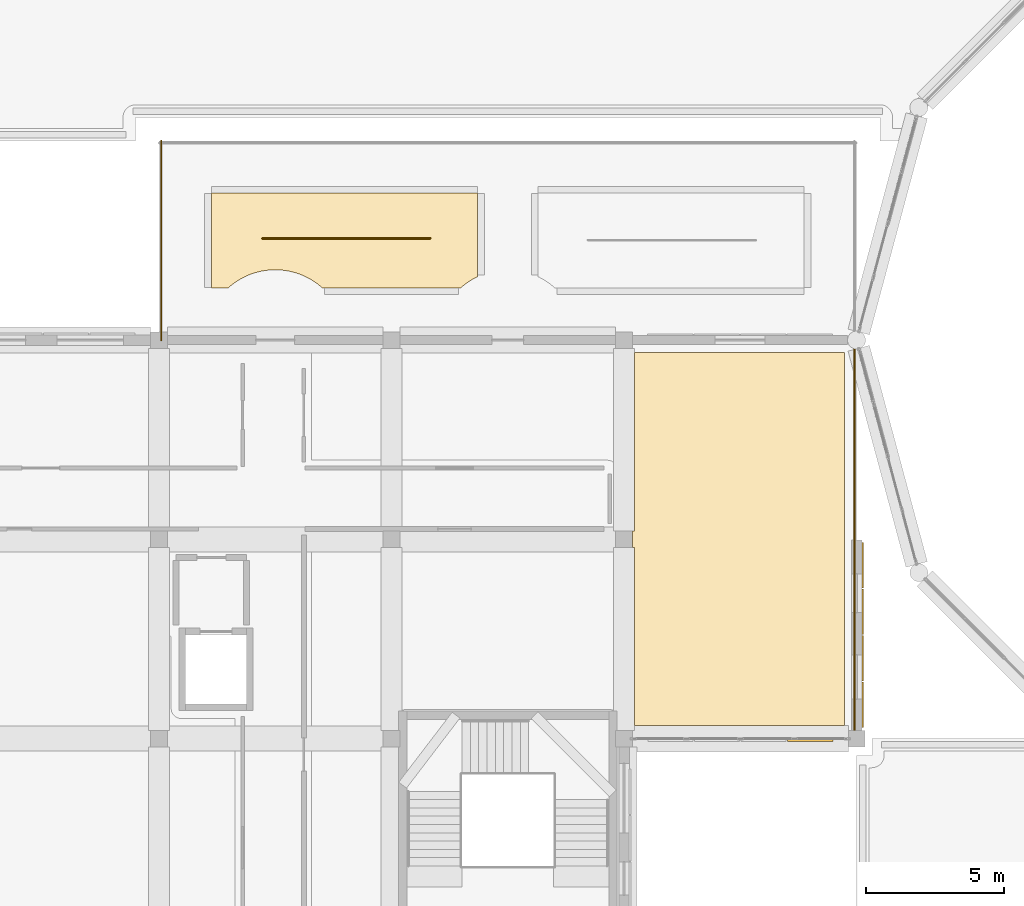
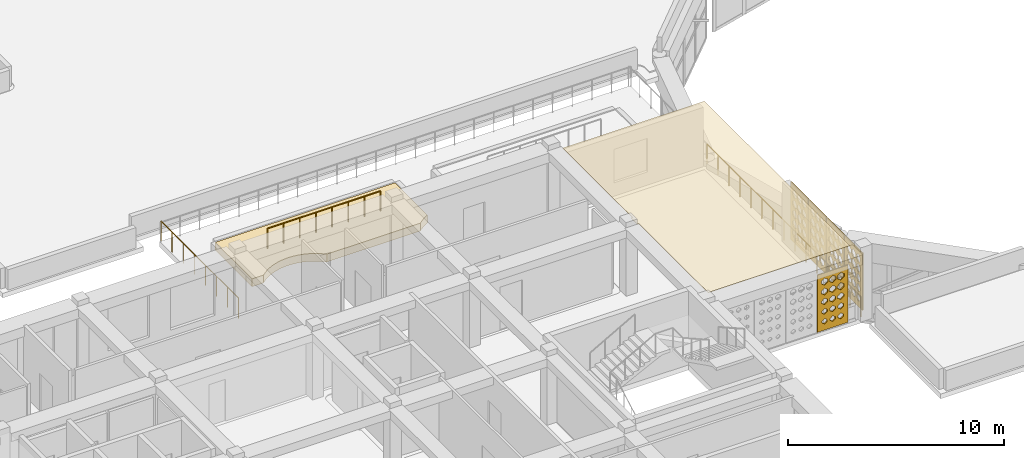
# One storey, part 46 of 48: 7 coverings, 3 railings.
"""IFC4 building model written with IfcOpenShell, lengths in metres."""

from ifc_helpers import new_model, si_unit, derived_unit, direction, frame, origin, origin_2d, place, context, subcontext, project, spatial, polyline, circle, outline, extrude, material, layer, layer_set, type_object, element, save


model = new_model("IFC4")

# Units and contexts
model_context = context("Model", 3, precision=1e-05, world=origin(), true_north=direction((0.0, 1.0)))
body_context = subcontext(model_context, "Body", "Model", "MODEL_VIEW")
ifc_project = project(units=[si_unit("LENGTHUNIT", "METRE"), si_unit("AREAUNIT", "SQUARE_METRE"), si_unit("VOLUMEUNIT", "CUBIC_METRE"), si_unit("PLANEANGLEUNIT", "RADIAN"), si_unit("MASSUNIT", "GRAM", prefix="KILO"), derived_unit("THERMALTRANSMITTANCEUNIT", [(si_unit("POWERUNIT", "WATT"), 1), (si_unit("LENGTHUNIT", "METRE"), -2), (si_unit("THERMODYNAMICTEMPERATUREUNIT", "KELVIN"), -1)])], contexts=[model_context])

# Site, building, storey
site_placement = place(None, origin())
site = spatial("IfcSite", under=ifc_project, at=site_placement, CompositionType="ELEMENT")
building_placement = place(site_placement, origin())
building = spatial("IfcBuilding", under=site, at=building_placement, Name="Veybourne Emporium", CompositionType="ELEMENT")
storey_placement = place(building_placement, frame((0.0, 0.0, 27.89990234375)))
storey = spatial("IfcBuildingStorey", under=building, at=storey_placement, Name="L06", CompositionType="ELEMENT", Elevation=27.89990234375)

# Railing
ifc_material_1 = material(Name="Patinated Architectural Bronze", Category="bronze")
railing_type_1 = type_object("IfcRailingType", Name="Balustrade_BL-01", PredefinedType="BALUSTRADE", material=ifc_material_1)
railing_1_placement = place(storey_placement, frame((58.719970703125, 36.050048828125, 0.0)))
element("IfcRailing", 1, at=railing_1_placement, inside=storey, type_object=railing_type_1, Name="L06 atrium clerestory gallery balustrade", PredefinedType="BALUSTRADE", context=body_context, shape_type="SweptSolid", body=[
    extrude(circle(Radius=0.02392578125, at=origin_2d()), frame((0.0, 0.0, 1.1259765625), z_axis=(0.0, 1.0, 0.0), x_axis=(-1.0, 0.0, 0.0)), (0.0, 0.0, 1.0), 14.300048828125),
    extrude(circle(Radius=0.02099609375, at=origin_2d()), origin(), (0.0, 0.0, 1.0), 1.101806640625),
    extrude(circle(Radius=0.02099609375, at=origin_2d()), frame((0.0, 1.021484375, 0.0)), (0.0, 0.0, 1.0), 1.101806640625),
    extrude(circle(Radius=0.02099609375, at=origin_2d()), frame((0.0, 2.04296875, 0.0)), (0.0, 0.0, 1.0), 1.101806640625),
    extrude(circle(Radius=0.02099609375, at=origin_2d()), frame((0.0, 3.064208984375, 0.0)), (0.0, 0.0, 1.0), 1.101806640625),
    extrude(circle(Radius=0.02099609375, at=origin_2d()), frame((0.0, 4.085693359375, 0.0)), (0.0, 0.0, 1.0), 1.101806640625),
    extrude(circle(Radius=0.02099609375, at=origin_2d()), frame((0.0, 5.107177734375, 0.0)), (0.0, 0.0, 1.0), 1.101806640625),
    extrude(circle(Radius=0.02099609375, at=origin_2d()), frame((0.0, 6.128662109375, 0.0)), (0.0, 0.0, 1.0), 1.101806640625),
    extrude(circle(Radius=0.02099609375, at=origin_2d()), frame((0.0, 7.14990234375, 0.0)), (0.0, 0.0, 1.0), 1.101806640625),
    extrude(circle(Radius=0.02099609375, at=origin_2d()), frame((0.0, 8.17138671875, 0.0)), (0.0, 0.0, 1.0), 1.101806640625),
    extrude(circle(Radius=0.02099609375, at=origin_2d()), frame((0.0, 9.19287109375, 0.0)), (0.0, 0.0, 1.0), 1.101806640625),
    extrude(circle(Radius=0.02099609375, at=origin_2d()), frame((0.0, 10.21435546875, 0.0)), (0.0, 0.0, 1.0), 1.101806640625),
    extrude(circle(Radius=0.02099609375, at=origin_2d()), frame((0.0, 11.23583984375, 0.0)), (0.0, 0.0, 1.0), 1.101806640625),
    extrude(circle(Radius=0.02099609375, at=origin_2d()), frame((0.0, 12.257080078125, 0.0)), (0.0, 0.0, 1.0), 1.101806640625),
    extrude(circle(Radius=0.02099609375, at=origin_2d()), frame((0.0, 13.278564453125, 0.0)), (0.0, 0.0, 1.0), 1.101806640625),
    extrude(circle(Radius=0.02099609375, at=origin_2d()), frame((0.0, 14.300048828125, 0.0)), (0.0, 0.0, 1.0), 1.101806640625),
])

# Covering
ifc_material_2 = material(Name="Mineral Acoustic Ceiling", Category="gypsum")
ifc_layer_1 = layer(ifc_material_2, 0.02490234375)
ifc_layer_set_1 = layer_set([ifc_layer_1], Name="Mineral Acoustic Ceiling")
covering_type_1 = type_object("IfcCoveringType", Name="Ceiling_CLG-01", PredefinedType="CEILING", material=ifc_layer_set_1)
covering_1_placement = place(storey_placement, frame((0.0, 0.0, 3.885009765625)))
element("IfcCovering", 2, at=covering_1_placement, inside=storey, type_object=covering_type_1, Name="L06 coffered acoustic ceiling 06", PredefinedType="CEILING", context=body_context, shape_type="SweptSolid", body=[
    extrude(outline(polyline([(50.705078125, 43.5), (50.77294921875, 43.5), (50.77294921875, 49.9599609375), (58.360107421875, 49.9599609375), (58.360107421875, 36.472900390625), (50.77294921875, 36.472900390625), (50.77294921875, 42.89990234375), (50.705078125, 42.89990234375), (50.705078125, 43.5)])), origin(), (0.0, 0.0, 1.0), 0.025146484375),
])

# Railings
railing_type_2 = type_object("IfcRailingType", Name="Guard_GR-02", PredefinedType="GUARDRAIL", material=ifc_material_1)
railing_2_placement = place(storey_placement, frame((33.679931640625, 50.39990234375, 0.0)))
element("IfcRailing", 3, at=railing_2_placement, inside=storey, type_object=railing_type_2, Name="L06 terrace perimeter guardrail 006", PredefinedType="GUARDRAIL", context=body_context, shape_type="SweptSolid", body=[
    extrude(circle(Radius=0.02392578125, at=origin_2d()), frame((0.0, 0.0, 1.1259765625), z_axis=(0.0, 1.0, 0.0), x_axis=(-1.0, 0.0, 0.0)), (0.0, 0.0, 1.0), 7.2001953125),
    extrude(circle(Radius=0.02099609375, at=origin_2d()), origin(), (0.0, 0.0, 1.0), 1.101806640625),
    extrude(circle(Radius=0.02099609375, at=origin_2d()), frame((0.0, 1.028564453125, 0.0)), (0.0, 0.0, 1.0), 1.101806640625),
    extrude(circle(Radius=0.02099609375, at=origin_2d()), frame((0.0, 2.05712890625, 0.0)), (0.0, 0.0, 1.0), 1.101806640625),
    extrude(circle(Radius=0.02099609375, at=origin_2d()), frame((0.0, 3.085693359375, 0.0)), (0.0, 0.0, 1.0), 1.101806640625),
    extrude(circle(Radius=0.02099609375, at=origin_2d()), frame((0.0, 4.114501953125, 0.0)), (0.0, 0.0, 1.0), 1.101806640625),
    extrude(circle(Radius=0.02099609375, at=origin_2d()), frame((0.0, 5.14306640625, 0.0)), (0.0, 0.0, 1.0), 1.101806640625),
    extrude(circle(Radius=0.02099609375, at=origin_2d()), frame((0.0, 6.171630859375, 0.0)), (0.0, 0.0, 1.0), 1.101806640625),
    extrude(circle(Radius=0.02099609375, at=origin_2d()), frame((0.0, 7.2001953125, 0.0)), (0.0, 0.0, 1.0), 1.101806640625),
])
railing_3_placement = place(storey_placement, frame((37.338134765625, 54.07373046875, 0.440185546875)))
element("IfcRailing", 4, at=railing_3_placement, inside=storey, type_object=railing_type_2, Name="L06 bronze roof-garden trellis balustrade 1.2", PredefinedType="GUARDRAIL", context=body_context, shape_type="SweptSolid", body=[
    extrude(circle(Radius=0.02392578125, at=origin_2d()), frame((0.0, 0.0, 1.1259765625), z_axis=(1.0, 0.0, 0.0), x_axis=(0.0, 1.0, 0.0)), (0.0, 0.0, 1.0), 6.06005859375),
    extrude(circle(Radius=0.02099609375, at=origin_2d()), origin(), (0.0, 0.0, 1.0), 1.101806640625),
    extrude(circle(Radius=0.02099609375, at=origin_2d()), frame((0.86572265625, 0.0, 0.0)), (0.0, 0.0, 1.0), 1.101806640625),
    extrude(circle(Radius=0.02099609375, at=origin_2d()), frame((1.7314453125, 0.0, 0.0)), (0.0, 0.0, 1.0), 1.101806640625),
    extrude(circle(Radius=0.02099609375, at=origin_2d()), frame((2.59716796875, 0.0, 0.0)), (0.0, 0.0, 1.0), 1.101806640625),
    extrude(circle(Radius=0.02099609375, at=origin_2d()), frame((3.462890625, 0.0, 0.0)), (0.0, 0.0, 1.0), 1.101806640625),
    extrude(circle(Radius=0.02099609375, at=origin_2d()), frame((4.32861328125, 0.0, 0.0)), (0.0, 0.0, 1.0), 1.101806640625),
    extrude(circle(Radius=0.02099609375, at=origin_2d()), frame((5.1943359375, 0.0, 0.0)), (0.0, 0.0, 1.0), 1.101806640625),
    extrude(circle(Radius=0.02099609375, at=origin_2d()), frame((6.06005859375, 0.0, 0.0)), (0.0, 0.0, 1.0), 1.101806640625),
])

# Coverings
ifc_material_3 = material(Name="Intensive Green Roof Build-up", Category="membrane")
ifc_layer_2 = layer(ifc_material_3, 0.43994140625)
ifc_layer_set_2 = layer_set([ifc_layer_2], Name="Intensive Green Roof Build-up")
covering_type_2 = type_object("IfcCoveringType", Name="Roofing_RFG-02", PredefinedType="ROOFING", material=ifc_layer_set_2)
covering_2_placement = place(storey_placement, origin())
element("IfcCovering", 5, at=covering_2_placement, inside=storey, type_object=covering_type_2, Name="L06 intensive planted garden bed 1.2", PredefinedType="ROOFING", context=body_context, shape_type="SweptSolid", body=[
    extrude(outline(polyline([(36.105712890625, 52.2900390625), (35.489990234375, 52.2900390625), (35.489990234375, 55.7099609375), (45.110107421875, 55.7099609375), (45.110107421875, 52.6923828125), (45.045166015625, 52.66162109375), (44.961181640625, 52.61669921875), (44.8291015625, 52.53759765625), (44.749755859375, 52.484619140625), (44.6259765625, 52.392822265625), (44.552490234375, 52.33251953125), (44.505615234375, 52.2900390625), (39.494384765625, 52.2900390625), (39.447509765625, 52.33251953125), (39.3740234375, 52.392822265625), (39.250244140625, 52.484619140625), (39.1708984375, 52.53759765625), (39.038818359375, 52.61669921875), (38.954833984375, 52.66162109375), (38.815673828125, 52.7275390625), (38.7275390625, 52.763916015625), (38.58251953125, 52.81591796875), (38.491455078125, 52.843505859375), (38.342041015625, 52.880859375), (38.24853515625, 52.8994140625), (38.09619140625, 52.922119140625), (38.00146484375, 52.931396484375), (37.84765625, 52.93896484375), (37.75244140625, 52.93896484375), (37.598388671875, 52.931396484375), (37.503662109375, 52.922119140625), (37.351318359375, 52.8994140625), (37.258056640625, 52.880859375), (37.1083984375, 52.843505859375), (37.017333984375, 52.81591796875), (36.872314453125, 52.763916015625), (36.784423828125, 52.7275390625), (36.64501953125, 52.66162109375), (36.561279296875, 52.61669921875), (36.428955078125, 52.53759765625), (36.349853515625, 52.484619140625), (36.22607421875, 52.392822265625), (36.152587890625, 52.33251953125), (36.105712890625, 52.2900390625)])), origin(), (0.0, 0.0, 1.0), 0.440185546875),
])
ifc_material_4 = material(Name="Warm-White Perforated Aluminium Screen Alloy", Category="aluminium")
ifc_layer_3 = layer(ifc_material_4, 0.06005859375)
ifc_layer_set_3 = layer_set([ifc_layer_3], Name="Warm-White Perforated Aluminium Screen Alloy")
covering_type_3 = type_object("IfcCoveringType", Name="WaveScreen_SCR-01", PredefinedType="CLADDING", material=ifc_layer_set_3)
covering_3_placement = place(storey_placement, frame((59.048095703125, 40.580078125, 1.68017578125), z_axis=(-1.0, 0.0, 0.0), x_axis=(0.0, -1.0, 0.0)))
element("IfcCovering", 6, at=covering_3_placement, inside=storey, type_object=covering_type_3, Name="L06 wave-perforated aluminium screen SCR-01 (24.2)", PredefinedType="CLADDING", context=body_context, shape_type="SweptSolid", body=[
    extrude(outline(polyline([(-0.81982421875, -1.6201171875), (0.81982421875, -1.6201171875), (0.81982421875, 1.6201171875), (-0.81982421875, 1.6201171875), (-0.81982421875, -1.6201171875)]), holes=[polyline([(-0.433349609375, -0.879150390625), (-0.2470703125, -1.033203125), (-0.2470703125, -1.206787109375), (-0.433349609375, -1.36083984375), (-0.61962890625, -1.206787109375), (-0.61962890625, -1.033203125), (-0.433349609375, -0.879150390625)]), polyline([(-0.433349609375, -0.319091796875), (-0.2470703125, -0.473388671875), (-0.2470703125, -0.646728515625), (-0.433349609375, -0.80078125), (-0.61962890625, -0.646728515625), (-0.61962890625, -0.473388671875), (-0.433349609375, -0.319091796875)]), polyline([(-0.433349609375, 0.24072265625), (-0.2470703125, 0.086669921875), (-0.2470703125, -0.086669921875), (-0.433349609375, -0.24072265625), (-0.61962890625, -0.086669921875), (-0.61962890625, 0.086669921875), (-0.433349609375, 0.24072265625)]), polyline([(-0.433349609375, 0.80078125), (-0.2470703125, 0.646728515625), (-0.2470703125, 0.473388671875), (-0.433349609375, 0.319091796875), (-0.61962890625, 0.473388671875), (-0.61962890625, 0.646728515625), (-0.433349609375, 0.80078125)]), polyline([(-0.433349609375, 1.36083984375), (-0.2470703125, 1.206787109375), (-0.2470703125, 1.033203125), (-0.433349609375, 0.879150390625), (-0.61962890625, 1.033203125), (-0.61962890625, 1.206787109375), (-0.433349609375, 1.36083984375)]), polyline([(0.0, -0.879150390625), (0.186279296875, -1.033203125), (0.186279296875, -1.206787109375), (0.0, -1.36083984375), (-0.186279296875, -1.206787109375), (-0.186279296875, -1.033203125), (0.0, -0.879150390625)]), polyline([(0.0, -0.319091796875), (0.186279296875, -0.473388671875), (0.186279296875, -0.646728515625), (0.0, -0.80078125), (-0.186279296875, -0.646728515625), (-0.186279296875, -0.473388671875), (0.0, -0.319091796875)]), polyline([(0.0, 0.24072265625), (0.186279296875, 0.086669921875), (0.186279296875, -0.086669921875), (0.0, -0.24072265625), (-0.186279296875, -0.086669921875), (-0.186279296875, 0.086669921875), (0.0, 0.24072265625)]), polyline([(0.0, 0.80078125), (0.186279296875, 0.646728515625), (0.186279296875, 0.473388671875), (0.0, 0.319091796875), (-0.186279296875, 0.473388671875), (-0.186279296875, 0.646728515625), (0.0, 0.80078125)]), polyline([(0.0, 1.36083984375), (0.186279296875, 1.206787109375), (0.186279296875, 1.033203125), (0.0, 0.879150390625), (-0.186279296875, 1.033203125), (-0.186279296875, 1.206787109375), (0.0, 1.36083984375)]), polyline([(0.433349609375, -0.879150390625), (0.61962890625, -1.033203125), (0.61962890625, -1.206787109375), (0.433349609375, -1.36083984375), (0.2470703125, -1.206787109375), (0.2470703125, -1.033203125), (0.433349609375, -0.879150390625)]), polyline([(0.433349609375, -0.319091796875), (0.61962890625, -0.473388671875), (0.61962890625, -0.646728515625), (0.433349609375, -0.80078125), (0.2470703125, -0.646728515625), (0.2470703125, -0.473388671875), (0.433349609375, -0.319091796875)]), polyline([(0.433349609375, 0.24072265625), (0.61962890625, 0.086669921875), (0.61962890625, -0.086669921875), (0.433349609375, -0.24072265625), (0.2470703125, -0.086669921875), (0.2470703125, 0.086669921875), (0.433349609375, 0.24072265625)]), polyline([(0.433349609375, 0.80078125), (0.61962890625, 0.646728515625), (0.61962890625, 0.473388671875), (0.433349609375, 0.319091796875), (0.2470703125, 0.473388671875), (0.2470703125, 0.646728515625), (0.433349609375, 0.80078125)]), polyline([(0.433349609375, 1.36083984375), (0.61962890625, 1.206787109375), (0.61962890625, 1.033203125), (0.433349609375, 0.879150390625), (0.2470703125, 1.033203125), (0.2470703125, 1.206787109375), (0.433349609375, 1.36083984375)])]), origin(), (0.0, 0.0, 1.0), 0.06005859375),
])
ifc_layer_4 = layer(ifc_material_4, 0.06005859375)
ifc_layer_set_4 = layer_set([ifc_layer_4], Name="Warm-White Perforated Aluminium Screen Alloy")
covering_type_4 = type_object("IfcCoveringType", Name="WaveScreen_SCR-02", PredefinedType="CLADDING", material=ifc_layer_set_4)
covering_4_placement = place(storey_placement, frame((59.048095703125, 38.89990234375, 1.68017578125), z_axis=(-1.0, 0.0, 0.0), x_axis=(0.0, -1.0, 0.0)))
element("IfcCovering", 7, at=covering_4_placement, inside=storey, type_object=covering_type_4, Name="L06 wave-perforated aluminium screen SCR-02 (24.3)", PredefinedType="CLADDING", context=body_context, shape_type="SweptSolid", body=[
    extrude(outline(polyline([(-0.81982421875, -1.6201171875), (0.81982421875, -1.6201171875), (0.81982421875, 1.6201171875), (-0.81982421875, 1.6201171875), (-0.81982421875, -1.6201171875)]), holes=[polyline([(-0.433349609375, -0.885009765625), (-0.2470703125, -1.035400390625), (-0.2470703125, -1.20458984375), (-0.433349609375, -1.35498046875), (-0.61962890625, -1.20458984375), (-0.61962890625, -1.035400390625), (-0.433349609375, -0.885009765625)]), polyline([(-0.433349609375, -0.319091796875), (-0.2470703125, -0.473388671875), (-0.2470703125, -0.646728515625), (-0.433349609375, -0.80078125), (-0.61962890625, -0.646728515625), (-0.61962890625, -0.473388671875), (-0.433349609375, -0.319091796875)]), polyline([(-0.433349609375, 0.24072265625), (-0.2470703125, 0.086669921875), (-0.2470703125, -0.086669921875), (-0.433349609375, -0.24072265625), (-0.61962890625, -0.086669921875), (-0.61962890625, 0.086669921875), (-0.433349609375, 0.24072265625)]), polyline([(-0.433349609375, 0.80078125), (-0.2470703125, 0.646728515625), (-0.2470703125, 0.473388671875), (-0.433349609375, 0.319091796875), (-0.61962890625, 0.473388671875), (-0.61962890625, 0.646728515625), (-0.433349609375, 0.80078125)]), polyline([(-0.433349609375, 1.36083984375), (-0.2470703125, 1.206787109375), (-0.2470703125, 1.033203125), (-0.433349609375, 0.879150390625), (-0.61962890625, 1.033203125), (-0.61962890625, 1.206787109375), (-0.433349609375, 1.36083984375)]), polyline([(0.0, -0.890869140625), (0.186279296875, -1.03759765625), (0.186279296875, -1.202392578125), (0.0, -1.34912109375), (-0.186279296875, -1.202392578125), (-0.186279296875, -1.03759765625), (0.0, -0.890869140625)]), polyline([(0.0, -0.319580078125), (0.186279296875, -0.473388671875), (0.186279296875, -0.646484375), (0.0, -0.80029296875), (-0.186279296875, -0.646484375), (-0.186279296875, -0.473388671875), (0.0, -0.319580078125)]), polyline([(0.0, 0.24072265625), (0.186279296875, 0.086669921875), (0.186279296875, -0.086669921875), (0.0, -0.24072265625), (-0.186279296875, -0.086669921875), (-0.186279296875, 0.086669921875), (0.0, 0.24072265625)]), polyline([(0.0, 0.80078125), (0.186279296875, 0.646728515625), (0.186279296875, 0.473388671875), (0.0, 0.319091796875), (-0.186279296875, 0.473388671875), (-0.186279296875, 0.646728515625), (0.0, 0.80078125)]), polyline([(0.0, 1.36083984375), (0.186279296875, 1.206787109375), (0.186279296875, 1.033203125), (0.0, 0.879150390625), (-0.186279296875, 1.033203125), (-0.186279296875, 1.206787109375), (0.0, 1.36083984375)]), polyline([(0.433349609375, -0.896484375), (0.61962890625, -1.03955078125), (0.61962890625, -1.200439453125), (0.433349609375, -1.343505859375), (0.2470703125, -1.200439453125), (0.2470703125, -1.03955078125), (0.433349609375, -0.896484375)]), polyline([(0.433349609375, -0.3251953125), (0.61962890625, -0.475341796875), (0.61962890625, -0.64453125), (0.433349609375, -0.794921875), (0.2470703125, -0.64453125), (0.2470703125, -0.475341796875), (0.433349609375, -0.3251953125)]), polyline([(0.433349609375, 0.24072265625), (0.61962890625, 0.086669921875), (0.61962890625, -0.086669921875), (0.433349609375, -0.24072265625), (0.2470703125, -0.086669921875), (0.2470703125, 0.086669921875), (0.433349609375, 0.24072265625)]), polyline([(0.433349609375, 0.80078125), (0.61962890625, 0.646728515625), (0.61962890625, 0.473388671875), (0.433349609375, 0.319091796875), (0.2470703125, 0.473388671875), (0.2470703125, 0.646728515625), (0.433349609375, 0.80078125)]), polyline([(0.433349609375, 1.36083984375), (0.61962890625, 1.206787109375), (0.61962890625, 1.033203125), (0.433349609375, 0.879150390625), (0.2470703125, 1.033203125), (0.2470703125, 1.206787109375), (0.433349609375, 1.36083984375)])]), origin(), (0.0, 0.0, 1.0), 0.06005859375),
])
ifc_layer_5 = layer(ifc_material_4, 0.06005859375)
ifc_layer_set_5 = layer_set([ifc_layer_5], Name="Warm-White Perforated Aluminium Screen Alloy")
covering_type_5 = type_object("IfcCoveringType", Name="WaveScreen_SCR-03", PredefinedType="CLADDING", material=ifc_layer_set_5)
covering_5_placement = place(storey_placement, frame((57.1201171875, 35.906005859375, 1.68017578125), z_axis=(0.0, 1.0, 0.0), x_axis=(-1.0, 0.0, 0.0)))
element("IfcCovering", 8, at=covering_5_placement, inside=storey, type_object=covering_type_5, Name="L06 wave-perforated aluminium screen SCR-03 (23C.1)", PredefinedType="CLADDING", context=body_context, shape_type="SweptSolid", body=[
    extrude(outline(polyline([(-0.81982421875, -1.6201171875), (0.81982421875, -1.6201171875), (0.81982421875, 1.6201171875), (-0.81982421875, 1.6201171875), (-0.81982421875, -1.6201171875)]), holes=[polyline([(-0.433349609375, -0.95458984375), (-0.2880859375, -1.060546875), (-0.2880859375, -1.179443359375), (-0.433349609375, -1.285400390625), (-0.57861328125, -1.179443359375), (-0.57861328125, -1.060546875), (-0.433349609375, -0.95458984375)]), polyline([(-0.433349609375, -0.382080078125), (-0.27783203125, -0.49609375), (-0.27783203125, -0.6240234375), (-0.433349609375, -0.73779296875), (-0.5888671875, -0.6240234375), (-0.5888671875, -0.49609375), (-0.433349609375, -0.382080078125)]), polyline([(-0.433349609375, 0.190673828125), (-0.267333984375, 0.068603515625), (-0.267333984375, -0.068603515625), (-0.433349609375, -0.190673828125), (-0.599365234375, -0.068603515625), (-0.599365234375, 0.068603515625), (-0.433349609375, 0.190673828125)]), polyline([(-0.433349609375, 0.763671875), (-0.2568359375, 0.63330078125), (-0.2568359375, 0.48681640625), (-0.433349609375, 0.3564453125), (-0.60986328125, 0.48681640625), (-0.60986328125, 0.63330078125), (-0.433349609375, 0.763671875)]), polyline([(-0.433349609375, 1.336181640625), (-0.2470703125, 1.19775390625), (-0.2470703125, 1.042236328125), (-0.433349609375, 0.90380859375), (-0.61962890625, 1.042236328125), (-0.61962890625, 1.19775390625), (-0.433349609375, 1.336181640625)]), polyline([(0.0, -0.960693359375), (0.140380859375, -1.0625), (0.140380859375, -1.177490234375), (0.0, -1.279296875), (-0.140380859375, -1.177490234375), (-0.140380859375, -1.0625), (0.0, -0.960693359375)]), polyline([(0.0, -0.388427734375), (0.150390625, -0.498291015625), (0.150390625, -0.62158203125), (0.0, -0.7314453125), (-0.150390625, -0.62158203125), (-0.150390625, -0.498291015625), (0.0, -0.388427734375)]), polyline([(0.0, 0.18408203125), (0.16064453125, 0.06640625), (0.16064453125, -0.06640625), (0.0, -0.18408203125), (-0.16064453125, -0.06640625), (-0.16064453125, 0.06640625), (0.0, 0.18408203125)]), polyline([(0.0, 0.757080078125), (0.17138671875, 0.631103515625), (0.17138671875, 0.489013671875), (0.0, 0.36279296875), (-0.17138671875, 0.489013671875), (-0.17138671875, 0.631103515625), (0.0, 0.757080078125)]), polyline([(0.0, 1.330078125), (0.181884765625, 1.195556640625), (0.181884765625, 1.04443359375), (0.0, 0.909912109375), (-0.181884765625, 1.04443359375), (-0.181884765625, 1.195556640625), (0.0, 1.330078125)]), polyline([(0.433349609375, -0.966552734375), (0.569091796875, -1.064697265625), (0.569091796875, -1.17529296875), (0.433349609375, -1.2734375), (0.297607421875, -1.17529296875), (0.297607421875, -1.064697265625), (0.433349609375, -0.966552734375)]), polyline([(0.433349609375, -0.39453125), (0.57861328125, -0.50048828125), (0.57861328125, -0.619384765625), (0.433349609375, -0.725341796875), (0.2880859375, -0.619384765625), (0.2880859375, -0.50048828125), (0.433349609375, -0.39453125)]), polyline([(0.433349609375, 0.177978515625), (0.5888671875, 0.06396484375), (0.5888671875, -0.06396484375), (0.433349609375, -0.177978515625), (0.27783203125, -0.06396484375), (0.27783203125, 0.06396484375), (0.433349609375, 0.177978515625)]), polyline([(0.433349609375, 0.750732421875), (0.599365234375, 0.628662109375), (0.599365234375, 0.4912109375), (0.433349609375, 0.369384765625), (0.267333984375, 0.4912109375), (0.267333984375, 0.628662109375), (0.433349609375, 0.750732421875)]), polyline([(0.433349609375, 1.323486328125), (0.60986328125, 1.193359375), (0.60986328125, 1.046630859375), (0.433349609375, 0.91650390625), (0.256591796875, 1.046630859375), (0.256591796875, 1.193359375), (0.433349609375, 1.323486328125)])]), origin(), (0.0, 0.0, 1.0), 0.06005859375),
])
covering_6_placement = place(storey_placement, frame((59.048095703125, 37.219970703125, 1.68017578125), z_axis=(-1.0, 0.0, 0.0), x_axis=(0.0, -1.0, 0.0)))
element("IfcCovering", 9, at=covering_6_placement, inside=storey, type_object=covering_type_5, Name="L06 wave-perforated aluminium screen SCR-03 (24.4)", PredefinedType="CLADDING", context=body_context, shape_type="SweptSolid", body=[
    extrude(outline(polyline([(-0.81982421875, -1.6201171875), (0.81982421875, -1.6201171875), (0.81982421875, 1.6201171875), (-0.81982421875, 1.6201171875), (-0.81982421875, -1.6201171875)]), holes=[polyline([(-0.433349609375, -0.908203125), (-0.25, -1.043701171875), (-0.25, -1.1962890625), (-0.433349609375, -1.331787109375), (-0.61669921875, -1.1962890625), (-0.61669921875, -1.043701171875), (-0.433349609375, -0.908203125)]), polyline([(-0.433349609375, -0.3359375), (-0.2470703125, -0.479248046875), (-0.2470703125, -0.640625), (-0.433349609375, -0.7841796875), (-0.61962890625, -0.640625), (-0.61962890625, -0.479248046875), (-0.433349609375, -0.3359375)]), polyline([(-0.433349609375, 0.235595703125), (-0.2470703125, 0.084716796875), (-0.2470703125, -0.084716796875), (-0.433349609375, -0.235595703125), (-0.61962890625, -0.084716796875), (-0.61962890625, 0.084716796875), (-0.433349609375, 0.235595703125)]), polyline([(-0.433349609375, 0.80078125), (-0.2470703125, 0.646728515625), (-0.2470703125, 0.473388671875), (-0.433349609375, 0.319091796875), (-0.61962890625, 0.473388671875), (-0.61962890625, 0.646728515625), (-0.433349609375, 0.80078125)]), polyline([(-0.433349609375, 1.36083984375), (-0.2470703125, 1.206787109375), (-0.2470703125, 1.033203125), (-0.433349609375, 0.879150390625), (-0.61962890625, 1.033203125), (-0.61962890625, 1.206787109375), (-0.433349609375, 1.36083984375)]), polyline([(0.0, -0.914306640625), (0.17822265625, -1.0458984375), (0.17822265625, -1.194091796875), (0.0, -1.32568359375), (-0.17822265625, -1.194091796875), (-0.17822265625, -1.0458984375), (0.0, -0.914306640625)]), polyline([(0.0, -0.341796875), (0.186279296875, -0.4814453125), (0.186279296875, -0.638427734375), (0.0, -0.778076171875), (-0.186279296875, -0.638427734375), (-0.186279296875, -0.4814453125), (0.0, -0.341796875)]), polyline([(0.0, 0.22998046875), (0.186279296875, 0.082763671875), (0.186279296875, -0.082763671875), (0.0, -0.22998046875), (-0.186279296875, -0.082763671875), (-0.186279296875, 0.082763671875), (0.0, 0.22998046875)]), polyline([(0.0, 0.80078125), (0.186279296875, 0.646728515625), (0.186279296875, 0.473388671875), (0.0, 0.319091796875), (-0.186279296875, 0.473388671875), (-0.186279296875, 0.646728515625), (0.0, 0.80078125)]), polyline([(0.0, 1.36083984375), (0.186279296875, 1.206787109375), (0.186279296875, 1.033203125), (0.0, 0.879150390625), (-0.186279296875, 1.033203125), (-0.186279296875, 1.206787109375), (0.0, 1.36083984375)]), polyline([(0.433349609375, -0.9208984375), (0.606201171875, -1.04833984375), (0.606201171875, -1.191650390625), (0.433349609375, -1.319091796875), (0.260498046875, -1.191650390625), (0.260498046875, -1.04833984375), (0.433349609375, -0.9208984375)]), polyline([(0.433349609375, -0.34814453125), (0.61669921875, -0.483642578125), (0.61669921875, -0.63623046875), (0.433349609375, -0.77197265625), (0.25, -0.63623046875), (0.25, -0.483642578125), (0.433349609375, -0.34814453125)]), polyline([(0.433349609375, 0.22412109375), (0.61962890625, 0.080810546875), (0.61962890625, -0.080810546875), (0.433349609375, -0.22412109375), (0.2470703125, -0.080810546875), (0.2470703125, 0.080810546875), (0.433349609375, 0.22412109375)]), polyline([(0.433349609375, 0.795654296875), (0.61962890625, 0.64501953125), (0.61962890625, 0.47509765625), (0.433349609375, 0.32421875), (0.2470703125, 0.47509765625), (0.2470703125, 0.64501953125), (0.433349609375, 0.795654296875)]), polyline([(0.433349609375, 1.36083984375), (0.61962890625, 1.206787109375), (0.61962890625, 1.033203125), (0.433349609375, 0.879150390625), (0.2470703125, 1.033203125), (0.2470703125, 1.206787109375), (0.433349609375, 1.36083984375)])]), origin(), (0.0, 0.0, 1.0), 0.06005859375),
])
ifc_layer_6 = layer(ifc_material_4, 0.06005859375)
ifc_layer_set_6 = layer_set([ifc_layer_6], Name="Warm-White Perforated Aluminium Screen Alloy")
covering_type_6 = type_object("IfcCoveringType", Name="WaveScreen_SCR-04", PredefinedType="CLADDING", material=ifc_layer_set_6)
covering_7_placement = place(storey_placement, frame((59.048095703125, 42.260009765625, 1.68017578125), z_axis=(-1.0, 0.0, 0.0), x_axis=(0.0, -1.0, 0.0)))
element("IfcCovering", 10, at=covering_7_placement, inside=storey, type_object=covering_type_6, Name="L06 wave-perforated aluminium screen SCR-04 (24.1)", PredefinedType="CLADDING", context=body_context, shape_type="SweptSolid", body=[
    extrude(outline(polyline([(-0.81982421875, -1.6201171875), (0.81982421875, -1.6201171875), (0.81982421875, 1.6201171875), (-0.81982421875, 1.6201171875), (-0.81982421875, -1.6201171875)]), holes=[polyline([(-0.433349609375, -0.879150390625), (-0.2470703125, -1.033203125), (-0.2470703125, -1.206787109375), (-0.433349609375, -1.36083984375), (-0.61962890625, -1.206787109375), (-0.61962890625, -1.033203125), (-0.433349609375, -0.879150390625)]), polyline([(-0.433349609375, -0.319091796875), (-0.2470703125, -0.473388671875), (-0.2470703125, -0.646728515625), (-0.433349609375, -0.80078125), (-0.61962890625, -0.646728515625), (-0.61962890625, -0.473388671875), (-0.433349609375, -0.319091796875)]), polyline([(-0.433349609375, 0.24072265625), (-0.2470703125, 0.086669921875), (-0.2470703125, -0.086669921875), (-0.433349609375, -0.24072265625), (-0.61962890625, -0.086669921875), (-0.61962890625, 0.086669921875), (-0.433349609375, 0.24072265625)]), polyline([(-0.433349609375, 0.80078125), (-0.2470703125, 0.646728515625), (-0.2470703125, 0.473388671875), (-0.433349609375, 0.319091796875), (-0.61962890625, 0.473388671875), (-0.61962890625, 0.646728515625), (-0.433349609375, 0.80078125)]), polyline([(-0.433349609375, 1.36083984375), (-0.2470703125, 1.206787109375), (-0.2470703125, 1.033203125), (-0.433349609375, 0.879150390625), (-0.61962890625, 1.033203125), (-0.61962890625, 1.206787109375), (-0.433349609375, 1.36083984375)]), polyline([(0.0, -0.879150390625), (0.186279296875, -1.033203125), (0.186279296875, -1.206787109375), (0.0, -1.36083984375), (-0.186279296875, -1.206787109375), (-0.186279296875, -1.033203125), (0.0, -0.879150390625)]), polyline([(0.0, -0.319091796875), (0.186279296875, -0.473388671875), (0.186279296875, -0.646728515625), (0.0, -0.80078125), (-0.186279296875, -0.646728515625), (-0.186279296875, -0.473388671875), (0.0, -0.319091796875)]), polyline([(0.0, 0.24072265625), (0.186279296875, 0.086669921875), (0.186279296875, -0.086669921875), (0.0, -0.24072265625), (-0.186279296875, -0.086669921875), (-0.186279296875, 0.086669921875), (0.0, 0.24072265625)]), polyline([(0.0, 0.80078125), (0.186279296875, 0.646728515625), (0.186279296875, 0.473388671875), (0.0, 0.319091796875), (-0.186279296875, 0.473388671875), (-0.186279296875, 0.646728515625), (0.0, 0.80078125)]), polyline([(0.0, 1.36083984375), (0.186279296875, 1.206787109375), (0.186279296875, 1.033203125), (0.0, 0.879150390625), (-0.186279296875, 1.033203125), (-0.186279296875, 1.206787109375), (0.0, 1.36083984375)]), polyline([(0.433349609375, -0.879150390625), (0.61962890625, -1.033203125), (0.61962890625, -1.206787109375), (0.433349609375, -1.36083984375), (0.2470703125, -1.206787109375), (0.2470703125, -1.033203125), (0.433349609375, -0.879150390625)]), polyline([(0.433349609375, -0.319091796875), (0.61962890625, -0.473388671875), (0.61962890625, -0.646728515625), (0.433349609375, -0.80078125), (0.2470703125, -0.646728515625), (0.2470703125, -0.473388671875), (0.433349609375, -0.319091796875)]), polyline([(0.433349609375, 0.24072265625), (0.61962890625, 0.086669921875), (0.61962890625, -0.086669921875), (0.433349609375, -0.24072265625), (0.2470703125, -0.086669921875), (0.2470703125, 0.086669921875), (0.433349609375, 0.24072265625)]), polyline([(0.433349609375, 0.80078125), (0.61962890625, 0.646728515625), (0.61962890625, 0.473388671875), (0.433349609375, 0.319091796875), (0.2470703125, 0.473388671875), (0.2470703125, 0.646728515625), (0.433349609375, 0.80078125)]), polyline([(0.433349609375, 1.36083984375), (0.61962890625, 1.206787109375), (0.61962890625, 1.033203125), (0.433349609375, 0.879150390625), (0.2470703125, 1.033203125), (0.2470703125, 1.206787109375), (0.433349609375, 1.36083984375)])]), origin(), (0.0, 0.0, 1.0), 0.06005859375),
])

save(model, "model.ifc")
